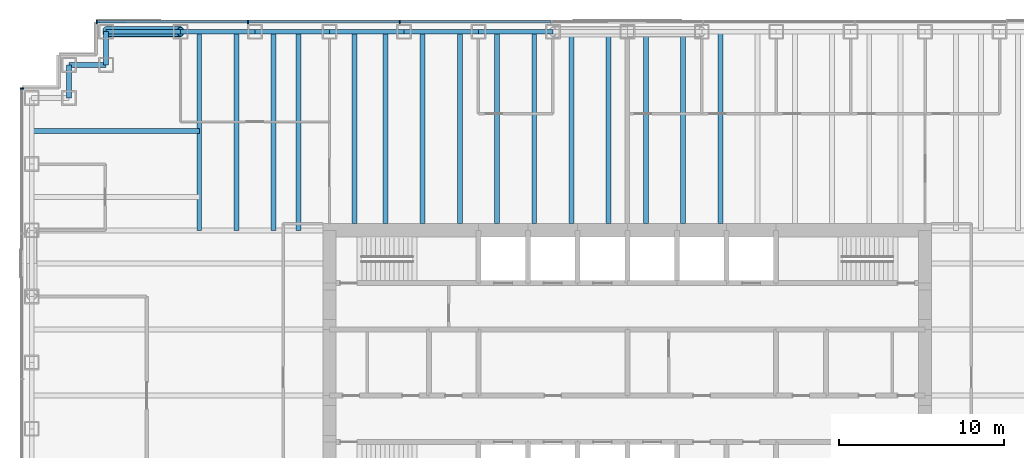
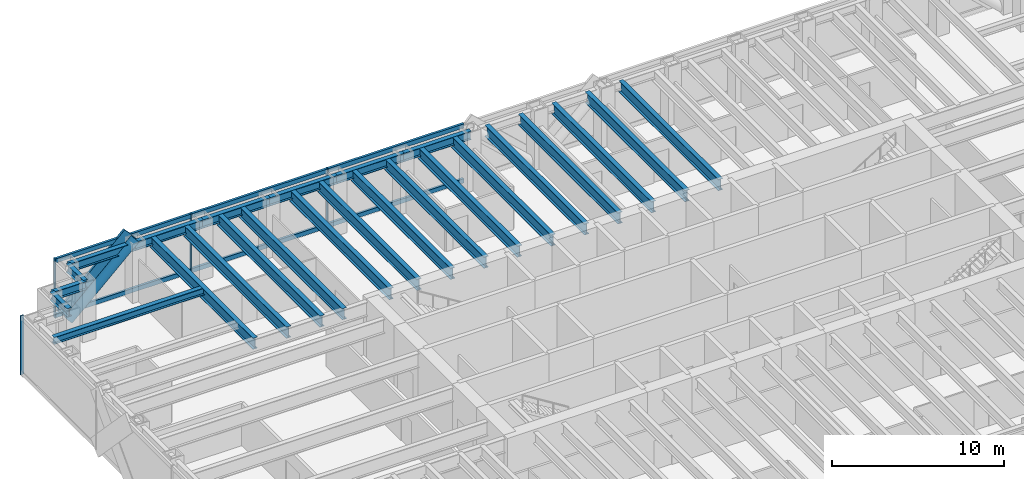
# One storey, part 5 of 18: 25 beams, 12 members, 2 elements without a shape of their own.
"""IFC4 building model written with IfcOpenShell, lengths in metres."""

from ifc_helpers import new_model, si_unit, direction, frame, origin, origin_2d, place, context, subcontext, project, spatial, rectangle, hollow_circle, i_section, extrude, material, material_profile, profile_set, type_object, element, aggregate, save


model = new_model("IFC4")

# Units and contexts
model_context = context("Model", 3, precision=1e-05, world=origin(), true_north=direction((0.0, 1.0)))
body_context = subcontext(model_context, "Body", "Model", "MODEL_VIEW")
ifc_project = project(units=[si_unit("LENGTHUNIT", "METRE"), si_unit("AREAUNIT", "SQUARE_METRE"), si_unit("VOLUMEUNIT", "CUBIC_METRE"), si_unit("PLANEANGLEUNIT", "RADIAN"), si_unit("MASSUNIT", "GRAM", prefix="KILO")], contexts=[model_context])

# Site, building, storey
site_placement = place(None, origin())
site = spatial("IfcSite", under=ifc_project, at=site_placement, CompositionType="ELEMENT")
building_placement = place(site_placement, origin())
building = spatial("IfcBuilding", under=site, at=building_placement, Name="Rheinbord Bourse Tower", CompositionType="ELEMENT")
storey_placement = place(building_placement, frame((0.0, 0.0, 244.60009765625)))
storey = spatial("IfcBuildingStorey", under=building, at=storey_placement, Name="L55", CompositionType="ELEMENT", Elevation=244.60009765625)

# Curtain wall, members
ifc_material_1 = material(Name="Dark glass and black aluminium", Category="aluminium")
curtain_wall_type = type_object("IfcCurtainWallType", Name="CW2 DARK GLASS CURTAIN WALL", PredefinedType="USERDEFINED", material=ifc_material_1)
curtain_wall_1_placement = place(storey_placement, origin())
curtain_wall_1 = element("IfcCurtainWall", 1, at=curtain_wall_1_placement, inside=storey, type_object=curtain_wall_type, Name="Curtain wall CW2 N L55", ObjectType="UNITISED CURTAIN WALL", PredefinedType="USERDEFINED")
ifc_material_2 = material(Name="Black anodised aluminium", Category="aluminium")
ifc_material_profile_1 = material_profile(ifc_material_2, rectangle(XDim=0.159912109375, YDim=1.2099609375, at=origin_2d()), Name="CW2 DIAGONAL MULLION 1210x160")
ifc_profile_set_1 = profile_set([ifc_material_profile_1], Name="Black anodised aluminium")
member_type_1 = type_object("IfcMemberType", Name="CW2 BLACK DIAGONAL MULLION", PredefinedType="USERDEFINED", material=ifc_profile_set_1)
member_1_placement = place(storey_placement, frame((4.5, 44.60009765625, 0.0), z_axis=(0.73105922506, 0.0, 0.682314010889), x_axis=(0.0, 1.0, 0.0)))
member_1 = element("IfcMember", 2, at=member_1_placement, type_object=member_type_1, Name="CW2 diagonal mullion a", ObjectType="DIAGONAL MULLION", PredefinedType="USERDEFINED", context=body_context, shape_type="SweptSolid", body=[
    extrude(rectangle(XDim=0.159912109375, YDim=1.2099609375, at=origin_2d()), origin(), (0.0, 0.0, 1.0), 6.155517578125),
])
ifc_material_3 = material(Name="Black anodised aluminium", Category="aluminium")
ifc_material_profile_2 = material_profile(ifc_material_3, rectangle(XDim=0.219970703125, YDim=0.070068359375, at=origin_2d()), Name="CW2 MULLION 70x220")
ifc_profile_set_2 = profile_set([ifc_material_profile_2], Name="Black anodised aluminium")
member_type_2 = type_object("IfcMemberType", Name="CW2 BLACK MULLION", PredefinedType="MULLION", material=ifc_profile_set_2)
member_2_placement = place(storey_placement, frame((22.242919921875, 44.60009765625, 0.0), z_axis=(0.0, 0.0, 1.0), x_axis=(0.0, -1.0, 0.0)))
member_2 = element("IfcMember", 3, at=member_2_placement, type_object=member_type_2, Name="CW2 mullion 6", PredefinedType="MULLION", context=body_context, shape_type="SweptSolid", body=[
    extrude(rectangle(XDim=0.219970703125, YDim=0.070068359375, at=origin_2d()), origin(), (0.0, 0.0, 1.0), 4.199951171875),
])
member_3_placement = place(storey_placement, frame((13.071533203125, 44.60009765625, 0.0), z_axis=(0.0, 0.0, 1.0), x_axis=(0.0, -1.0, 0.0)))
member_3 = element("IfcMember", 4, at=member_3_placement, type_object=member_type_2, Name="CW2 mullion 7", PredefinedType="MULLION", context=body_context, shape_type="SweptSolid", body=[
    extrude(rectangle(XDim=0.219970703125, YDim=0.070068359375, at=origin_2d()), origin(), (0.0, 0.0, 1.0), 4.199951171875),
])
member_4_placement = place(storey_placement, frame((3.93505859375, 44.60009765625, 0.0), z_axis=(0.0, 0.0, 1.0), x_axis=(0.0, -1.0, 0.0)))
member_4 = element("IfcMember", 5, at=member_4_placement, type_object=member_type_2, Name="CW2 mullion 8", PredefinedType="MULLION", context=body_context, shape_type="SweptSolid", body=[
    extrude(rectangle(XDim=0.219970703125, YDim=0.070068359375, at=origin_2d()), origin(), (0.0, 0.0, 1.0), 4.199951171875),
])

# Curtain wall, member
curtain_wall_2_placement = place(storey_placement, origin())
curtain_wall_2 = element("IfcCurtainWall", 6, at=curtain_wall_2_placement, inside=storey, type_object=curtain_wall_type, Name="Curtain wall CW2 W L55", ObjectType="UNITISED CURTAIN WALL", PredefinedType="USERDEFINED")
member_5_placement = place(storey_placement, frame((-0.60009765625, 40.56494140625, 0.0), z_axis=(0.0, 0.0, 1.0), x_axis=(1.0, 0.0, 0.0)))
member_5 = element("IfcMember", 7, at=member_5_placement, type_object=member_type_2, Name="CW2 mullion 1", PredefinedType="MULLION", context=body_context, shape_type="SweptSolid", body=[
    extrude(rectangle(XDim=0.219970703125, YDim=0.070068359375, at=origin_2d()), origin(), (0.0, 0.0, 1.0), 4.199951171875),
])
aggregate(curtain_wall_2, [member_5])

# Member
ifc_material_4 = material(Name="Black anodised aluminium", Category="aluminium")
ifc_material_profile_3 = material_profile(ifc_material_4, rectangle(XDim=0.159912109375, YDim=0.300048828125, at=origin_2d()), Name="CW2 TRANSOM 300x160")
ifc_profile_set_3 = profile_set([ifc_material_profile_3], Name="Black anodised aluminium")
member_type_3 = type_object("IfcMemberType", Name="CW2 BLACK TRANSOM", PredefinedType="USERDEFINED", material=ifc_profile_set_3)
member_6_placement = place(storey_placement, frame((31.37939453125, 44.60009765625, 0.14990234375), z_axis=(-1.0, 0.0, 0.0), x_axis=(0.0, -1.0, 0.0)))
member_6 = element("IfcMember", 8, at=member_6_placement, type_object=member_type_3, Name="CW2 transom 5.1", ObjectType="TRANSOM", PredefinedType="USERDEFINED", context=body_context, shape_type="SweptSolid", body=[
    extrude(rectangle(XDim=0.159912109375, YDim=0.300048828125, at=origin_2d()), origin(), (0.0, 0.0, 1.0), 9.1015625),
])

member_7_placement = place(storey_placement, frame((31.37939453125, 44.60009765625, 4.0498046875), z_axis=(-1.0, 0.0, 0.0), x_axis=(0.0, -1.0, 0.0)))
member_7 = element("IfcMember", 9, at=member_7_placement, type_object=member_type_3, Name="CW2 transom 5.2", ObjectType="TRANSOM", PredefinedType="USERDEFINED", context=body_context, shape_type="SweptSolid", body=[
    extrude(rectangle(XDim=0.159912109375, YDim=0.300048828125, at=origin_2d()), origin(), (0.0, 0.0, 1.0), 9.1015625),
])

member_8_placement = place(storey_placement, frame((22.207763671875, 44.60009765625, 0.14990234375), z_axis=(-1.0, 0.0, 0.0), x_axis=(0.0, -1.0, 0.0)))
member_8 = element("IfcMember", 10, at=member_8_placement, type_object=member_type_3, Name="CW2 transom 6.1", ObjectType="TRANSOM", PredefinedType="USERDEFINED", context=body_context, shape_type="SweptSolid", body=[
    extrude(rectangle(XDim=0.159912109375, YDim=0.300048828125, at=origin_2d()), origin(), (0.0, 0.0, 1.0), 9.101318359375),
])

member_9_placement = place(storey_placement, frame((22.207763671875, 44.60009765625, 4.0498046875), z_axis=(-1.0, 0.0, 0.0), x_axis=(0.0, -1.0, 0.0)))
member_9 = element("IfcMember", 11, at=member_9_placement, type_object=member_type_3, Name="CW2 transom 6.2", ObjectType="TRANSOM", PredefinedType="USERDEFINED", context=body_context, shape_type="SweptSolid", body=[
    extrude(rectangle(XDim=0.159912109375, YDim=0.300048828125, at=origin_2d()), origin(), (0.0, 0.0, 1.0), 9.101318359375),
])

member_10_placement = place(storey_placement, frame((13.036376953125, 44.60009765625, 0.14990234375), z_axis=(-1.0, 0.0, 0.0), x_axis=(0.0, -1.0, 0.0)))
member_10 = element("IfcMember", 12, at=member_10_placement, type_object=member_type_3, Name="CW2 transom 7.1", ObjectType="TRANSOM", PredefinedType="USERDEFINED", context=body_context, shape_type="SweptSolid", body=[
    extrude(rectangle(XDim=0.159912109375, YDim=0.300048828125, at=origin_2d()), origin(), (0.0, 0.0, 1.0), 9.06640625),
])

member_11_placement = place(storey_placement, frame((13.036376953125, 44.60009765625, 4.0498046875), z_axis=(-1.0, 0.0, 0.0), x_axis=(0.0, -1.0, 0.0)))
member_11 = element("IfcMember", 13, at=member_11_placement, type_object=member_type_3, Name="CW2 transom 7.2", ObjectType="TRANSOM", PredefinedType="USERDEFINED", context=body_context, shape_type="SweptSolid", body=[
    extrude(rectangle(XDim=0.159912109375, YDim=0.300048828125, at=origin_2d()), origin(), (0.0, 0.0, 1.0), 9.06640625),
])

aggregate(curtain_wall_1, [member_2, member_3, member_4, member_6, member_7, member_8, member_9, member_10, member_11, member_1])

# Beams
ifc_material_5 = material(Name="Steel S460", Category="steel")
ifc_material_profile_4 = material_profile(ifc_material_5, i_section(OverallWidth=0.300048828125, OverallDepth=0.800048828125, WebThickness=0.017578125, FlangeThickness=0.032958984375, at=origin_2d()), Name="HEB 800")
ifc_profile_set_4 = profile_set([ifc_material_profile_4], Name="Steel S460")
beam_type_1 = type_object("IfcBeamType", Name="FLOOR BEAM HEB 800", PredefinedType="BEAM", material=ifc_profile_set_4)
for number, where, z_axis, x_axis, name in (
    (14, (10.125, 44.0, 3.639892578125), (0.0, -1.0, 0.0), (1.0, 0.0, 0.0), "Floor beam N-9a L56"),
    (15, (12.375, 44.0, 3.639892578125), (0.0, -1.0, 0.0), (1.0, 0.0, 0.0), "Floor beam N-9b L56"),
    (16, (14.625, 44.0, 3.639892578125), (0.0, -1.0, 0.0), (1.0, 0.0, 0.0), "Floor beam N-13.5a L56"),
    (17, (16.125, 44.0, 3.639892578125), (0.0, -1.0, 0.0), (1.0, 0.0, 0.0), "Floor beam N-13.5b L56"),
):
    element("IfcBeam", number, at=place(storey_placement, frame(where, z_axis=z_axis, x_axis=x_axis)), inside=storey, type_object=beam_type_1, Name=name, PredefinedType="BEAM", context=body_context, shape_type="SweptSolid", body=[
        extrude(i_section(OverallWidth=0.300048828125, OverallDepth=0.800048828125, WebThickness=0.017578125, FlangeThickness=0.032958984375, at=origin_2d()), origin(), (0.0, 0.0, 1.0), 12.0),
    ])
for number, where, z_axis, x_axis, name in (
    (18, (19.5, 44.0, 3.639892578125), (0.0, -1.0, 0.0), (1.0, 0.0, 0.0), "Floor beam N-18a L56"),
    (19, (21.375, 44.0, 3.639892578125), (0.0, -1.0, 0.0), (1.0, 0.0, 0.0), "Floor beam N-18b L56"),
    (20, (23.625, 44.0, 3.639892578125), (0.0, -1.0, 0.0), (1.0, 0.0, 0.0), "Floor beam N-22.5a L56"),
    (21, (25.875, 44.0, 3.639892578125), (0.0, -1.0, 0.0), (1.0, 0.0, 0.0), "Floor beam N-22.5b L56"),
    (22, (28.125, 44.0, 3.639892578125), (0.0, -1.0, 0.0), (1.0, 0.0, 0.0), "Floor beam N-27a L56"),
    (23, (30.375, 44.0, 3.639892578125), (0.0, -1.0, 0.0), (1.0, 0.0, 0.0), "Floor beam N-27b L56"),
    (24, (32.625, 44.0, 3.639892578125), (0.0, -1.0, 0.0), (1.0, 0.0, 0.0), "Floor beam N-31.5a L56"),
    (25, (34.875, 44.0, 3.639892578125), (0.0, -1.0, 0.0), (1.0, 0.0, 0.0), "Floor beam N-31.5b L56"),
    (26, (37.125, 44.0, 3.639892578125), (0.0, -1.0, 0.0), (1.0, 0.0, 0.0), "Floor beam N-36a L56"),
    (27, (39.375, 44.0, 3.639892578125), (0.0, -1.0, 0.0), (1.0, 0.0, 0.0), "Floor beam N-36b L56"),
    (28, (41.625, 44.0, 3.639892578125), (0.0, -1.0, 0.0), (1.0, 0.0, 0.0), "Floor beam N-40.5a L56"),
):
    element("IfcBeam", number, at=place(storey_placement, frame(where, z_axis=z_axis, x_axis=x_axis)), inside=storey, type_object=beam_type_1, Name=name, PredefinedType="BEAM", context=body_context, shape_type="SweptSolid", body=[
        extrude(i_section(OverallWidth=0.300048828125, OverallDepth=0.800048828125, WebThickness=0.017578125, FlangeThickness=0.032958984375, at=origin_2d()), origin(), (0.0, 0.0, 1.0), 11.60009765625),
    ])

# Member
ifc_material_6 = material(Name="Steel S460", Category="steel")
ifc_material_profile_5 = material_profile(ifc_material_6, hollow_circle(Radius=0.304931640625, WallThickness=0.0400390625, at=origin_2d()), Name="CHS 610x40")
ifc_profile_set_5 = profile_set([ifc_material_profile_5], Name="Steel S460")
member_type_4 = type_object("IfcMemberType", Name="MEGABRACE CHS 610x40", PredefinedType="BRACE", material=ifc_profile_set_5)
member_12_placement = place(storey_placement, frame((4.5, 44.0, 0.0), z_axis=(0.73105922506, 0.0, 0.682314010889), x_axis=(0.0, 1.0, 0.0)))
element("IfcMember", 29, at=member_12_placement, inside=storey, type_object=member_type_4, Name="Megabrace N face line a L55", PredefinedType="BRACE", context=body_context, shape_type="SweptSolid", body=[
    extrude(hollow_circle(Radius=0.304931640625, WallThickness=0.0400390625, at=origin_2d()), origin(), (0.0, 0.0, 1.0), 6.155517578125),
])

# Beams
ifc_material_7 = material(Name="Steel S460", Category="steel")
ifc_material_profile_6 = material_profile(ifc_material_7, i_section(OverallWidth=0.300048828125, OverallDepth=0.60009765625, WebThickness=0.015380859375, FlangeThickness=0.030029296875, at=origin_2d()), Name="HEB 600")
ifc_profile_set_6 = profile_set([ifc_material_profile_6], Name="Steel S460")
beam_type_2 = type_object("IfcBeamType", Name="SPANDREL HEB 600", PredefinedType="SPANDREL", material=ifc_profile_set_6)
for number, where, z_axis, x_axis, name in (
    (30, (31.5, 44.0, 3.739990234375), (-1.0, 0.0, 0.0), (0.0, -1.0, 0.0), "Spandrel N-31.5-N-27 under L56"),
    (31, (27.0, 44.0, 3.739990234375), (-1.0, 0.0, 0.0), (0.0, -1.0, 0.0), "Spandrel N-27-N-22.5 under L56"),
    (32, (22.5, 44.0, 3.739990234375), (-1.0, 0.0, 0.0), (0.0, -1.0, 0.0), "Spandrel N-22.5-N-18 under L56"),
    (33, (18.0, 44.0, 3.739990234375), (-1.0, 0.0, 0.0), (0.0, -1.0, 0.0), "Spandrel N-18-N-13.5 under L56"),
    (34, (13.5, 44.0, 3.739990234375), (-1.0, 0.0, 0.0), (0.0, -1.0, 0.0), "Spandrel N-13.5-N-9 under L56"),
    (35, (9.0, 44.0, 3.739990234375), (-1.0, 0.0, 0.0), (0.0, -1.0, 0.0), "Spandrel N-9-NW-E under L56"),
):
    element("IfcBeam", number, at=place(storey_placement, frame(where, z_axis=z_axis, x_axis=x_axis)), inside=storey, type_object=beam_type_2, Name=name, PredefinedType="SPANDREL", context=body_context, shape_type="SweptSolid", body=[
        extrude(i_section(OverallWidth=0.300048828125, OverallDepth=0.60009765625, WebThickness=0.015380859375, FlangeThickness=0.030029296875, at=origin_2d()), origin(), (0.0, 0.0, 1.0), 4.5),
    ])
beam_1_placement = place(storey_placement, frame((4.5, 44.0, 3.739990234375), z_axis=(0.0, -1.0, 0.0), x_axis=(1.0, 0.0, 0.0)))
element("IfcBeam", 36, at=beam_1_placement, inside=storey, type_object=beam_type_2, Name="Spandrel NW-E-NW-D under L56", PredefinedType="SPANDREL", context=body_context, shape_type="SweptSolid", body=[
    extrude(i_section(OverallWidth=0.300048828125, OverallDepth=0.60009765625, WebThickness=0.015380859375, FlangeThickness=0.030029296875, at=origin_2d()), origin(), (0.0, 0.0, 1.0), 2.0),
])
beam_2_placement = place(storey_placement, frame((4.5, 42.0, 3.739990234375), z_axis=(-1.0, 0.0, 0.0), x_axis=(0.0, -1.0, 0.0)))
element("IfcBeam", 37, at=beam_2_placement, inside=storey, type_object=beam_type_2, Name="Spandrel NW-D-NW-C under L56", PredefinedType="SPANDREL", context=body_context, shape_type="SweptSolid", body=[
    extrude(i_section(OverallWidth=0.300048828125, OverallDepth=0.60009765625, WebThickness=0.015380859375, FlangeThickness=0.030029296875, at=origin_2d()), origin(), (0.0, 0.0, 1.0), 2.25),
])
beam_3_placement = place(storey_placement, frame((2.25, 42.0, 3.739990234375), z_axis=(0.0, -1.0, 0.0), x_axis=(1.0, 0.0, 0.0)))
element("IfcBeam", 38, at=beam_3_placement, inside=storey, type_object=beam_type_2, Name="Spandrel NW-C-NW-B under L56", PredefinedType="SPANDREL", context=body_context, shape_type="SweptSolid", body=[
    extrude(i_section(OverallWidth=0.300048828125, OverallDepth=0.60009765625, WebThickness=0.015380859375, FlangeThickness=0.030029296875, at=origin_2d()), origin(), (0.0, 0.0, 1.0), 2.0),
])
ifc_material_8 = material(Name="Steel S460", Category="steel")
ifc_material_profile_7 = material_profile(ifc_material_8, i_section(OverallWidth=0.300048828125, OverallDepth=0.5, WebThickness=0.014404296875, FlangeThickness=0.028076171875, at=origin_2d()), Name="HEB 500")
ifc_profile_set_7 = profile_set([ifc_material_profile_7], Name="Steel S460")
beam_type_3 = type_object("IfcBeamType", Name="TIE BEAM HEB 500", PredefinedType="JOIST", material=ifc_profile_set_7)
beam_4_placement = place(storey_placement, frame((0.0, 38.0, 3.789794921875), z_axis=(1.0, 0.0, 0.0), x_axis=(0.0, 1.0, 0.0)))
element("IfcBeam", 39, at=beam_4_placement, inside=storey, type_object=beam_type_3, Name="Tie west 38 L56", PredefinedType="JOIST", context=body_context, shape_type="SweptSolid", body=[
    extrude(i_section(OverallWidth=0.300048828125, OverallDepth=0.5, WebThickness=0.014404296875, FlangeThickness=0.028076171875, at=origin_2d()), origin(), (0.0, 0.0, 1.0), 10.125),
])

save(model, "model.ifc")
